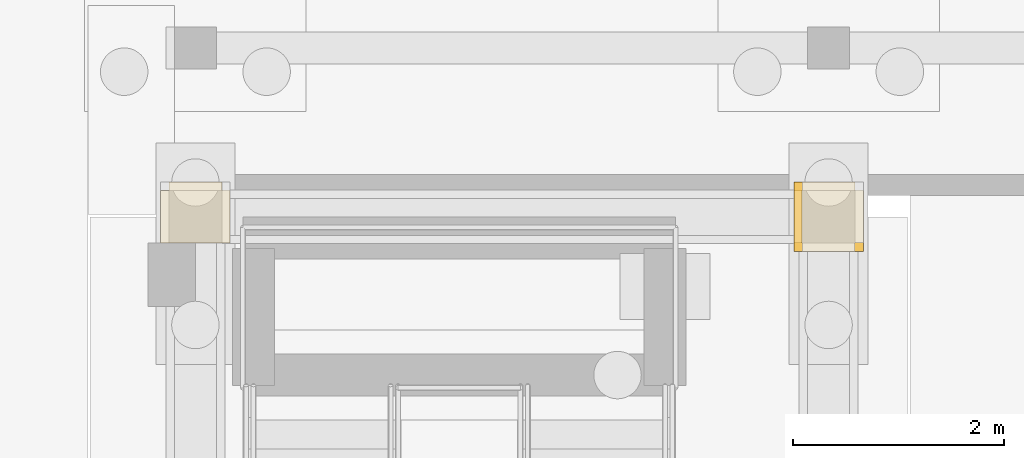
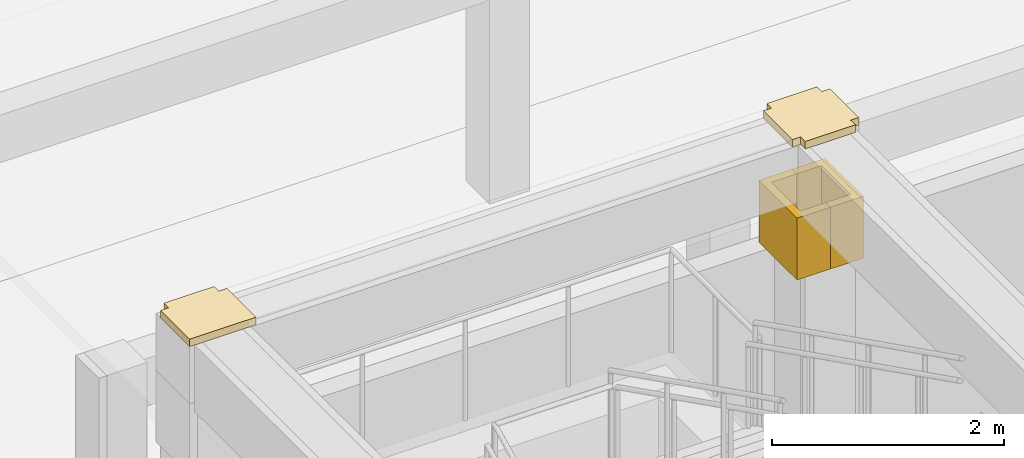
# One storey, part 109 of 112: 4 coverings.
"""IFC4 building model written with IfcOpenShell, lengths in metres."""

from ifc_helpers import new_model, si_unit, direction, frame, origin, place, context, subcontext, project, spatial, polyline, outline, extrude, material, layer, layer_set, type_object, element, save


model = new_model("IFC4")

# Units and contexts
model_context = context("Model", 3, precision=1e-05, world=origin(), true_north=direction((0.0, 1.0)))
body_context = subcontext(model_context, "Body", "Model", "MODEL_VIEW")
ifc_project = project(units=[si_unit("LENGTHUNIT", "METRE"), si_unit("AREAUNIT", "SQUARE_METRE"), si_unit("VOLUMEUNIT", "CUBIC_METRE"), si_unit("PLANEANGLEUNIT", "RADIAN"), si_unit("MASSUNIT", "GRAM", prefix="KILO")], contexts=[model_context])

# Site, building, storey
site_placement = place(None, origin())
site = spatial("IfcSite", under=ifc_project, at=site_placement, CompositionType="ELEMENT")
building_placement = place(site_placement, origin())
building = spatial("IfcBuilding", under=site, at=building_placement, Name="Wasatch Bagh Community Centre", CompositionType="ELEMENT")
storey_placement = place(building_placement, origin())
storey = spatial("IfcBuildingStorey", under=building, at=storey_placement, Name="L00", CompositionType="ELEMENT", Elevation=0.0)

# Coverings
ifc_material = material(Name="Cast stone cladding", Category="masonry")
ifc_layer = layer(ifc_material, 0.080078125)
ifc_layer_set = layer_set([ifc_layer], Name="Cast stone cladding")
covering_type = type_object("IfcCoveringType", Name="CL-C1 column facing", PredefinedType="CLADDING", material=ifc_layer_set)
covering_1_placement = place(storey_placement, frame((0.0, 0.0, 3.949951171875)))
element("IfcCovering", 1, at=covering_1_placement, inside=storey, type_object=covering_type, Name="Column facing", PredefinedType="CLADDING", context=body_context, shape_type="SweptSolid", body=[
    extrude(outline(polyline([(4.169921875, 86.25), (4.25, 86.25), (4.25, 86.330078125), (4.75, 86.330078125), (4.75, 86.25), (4.830078125, 86.25), (4.830078125, 85.75), (4.169921875, 85.75), (4.169921875, 86.25)])), origin(), (0.0, 0.0, 1.0), 0.080078125),
])
covering_2_placement = place(storey_placement, frame((0.0, 0.0, 2.60009765625)))
element("IfcCovering", 2, at=covering_2_placement, inside=storey, type_object=covering_type, Name="Column facing", PredefinedType="CLADDING", context=body_context, shape_type="SweptSolid", body=[
    extrude(outline(polyline([(10.5, 86.330078125), (10.5, 86.25), (10.25, 86.25), (10.25, 85.75), (10.5, 85.75), (10.5, 85.669921875), (10.169921875, 85.669921875), (10.169921875, 86.330078125), (10.5, 86.330078125)])), origin(), (0.0, 0.0, 1.0), 0.64990234375),
])
covering_3_placement = place(storey_placement, frame((0.0, 0.0, 2.60009765625)))
element("IfcCovering", 3, at=covering_3_placement, inside=storey, type_object=covering_type, Name="Column facing", PredefinedType="CLADDING", context=body_context, shape_type="SweptSolid", body=[
    extrude(outline(polyline([(10.830078125, 86.330078125), (10.830078125, 85.669921875), (10.5, 85.669921875), (10.5, 85.75), (10.75, 85.75), (10.75, 86.25), (10.5, 86.25), (10.5, 86.330078125), (10.830078125, 86.330078125)])), origin(), (0.0, 0.0, 1.0), 0.64990234375),
])
covering_4_placement = place(storey_placement, frame((0.0, 0.0, 3.949951171875)))
element("IfcCovering", 4, at=covering_4_placement, inside=storey, type_object=covering_type, Name="Column facing", PredefinedType="CLADDING", context=body_context, shape_type="SweptSolid", body=[
    extrude(outline(polyline([(10.75, 85.669921875), (10.25, 85.669921875), (10.25, 85.75), (10.169921875, 85.75), (10.169921875, 86.25), (10.25, 86.25), (10.25, 86.330078125), (10.75, 86.330078125), (10.75, 86.25), (10.830078125, 86.25), (10.830078125, 85.75), (10.75, 85.75), (10.75, 85.669921875)])), origin(), (0.0, 0.0, 1.0), 0.080078125),
])

save(model, "model.ifc")
